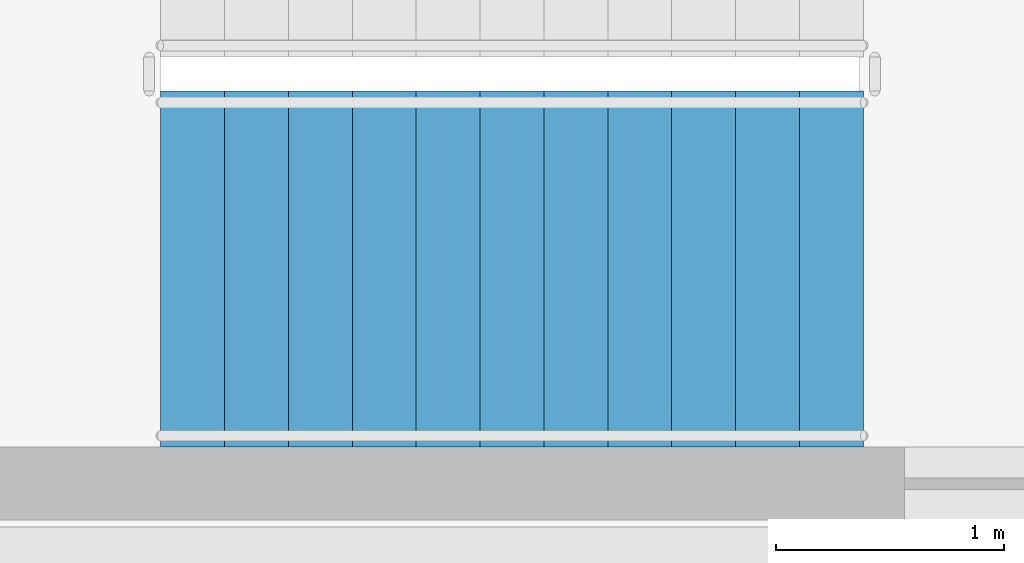
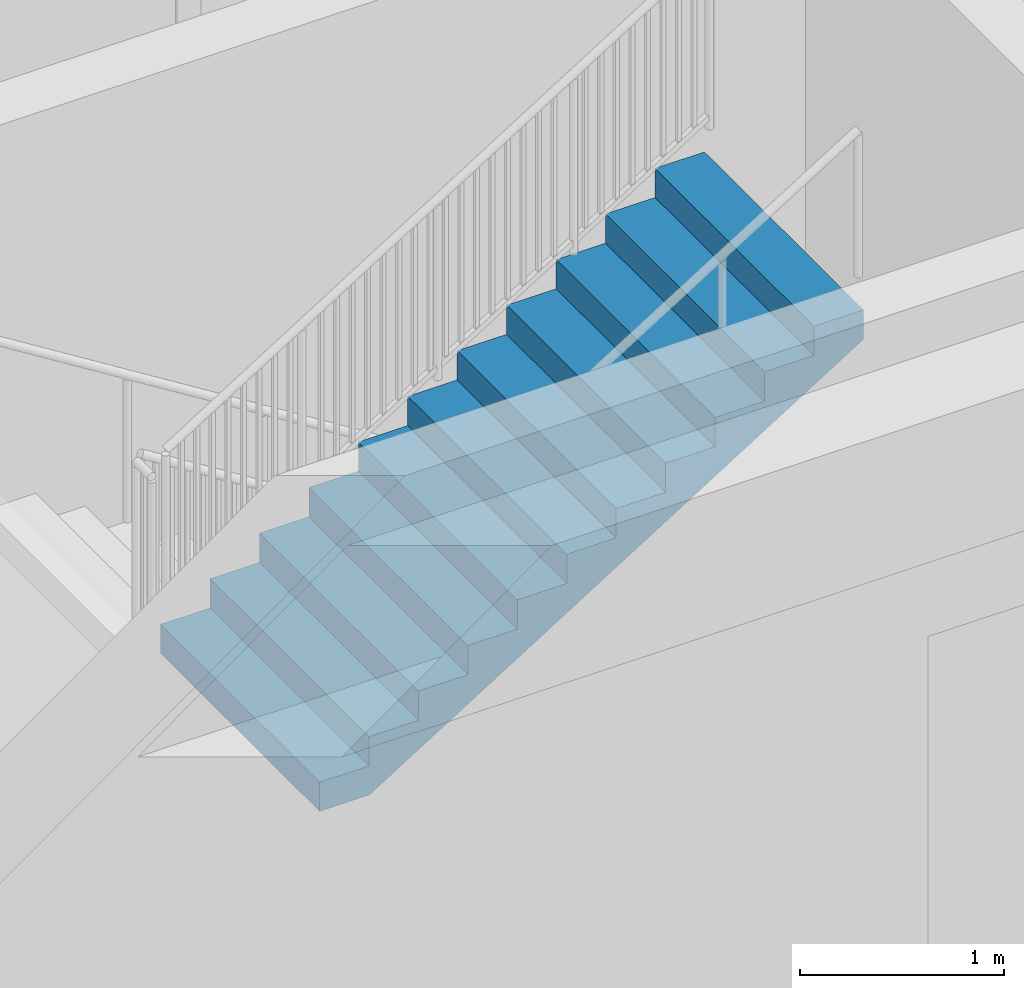
# One storey, part 46 of 63: 1 stair flight, 1 element without a shape of its own.
"""IFC4 building model written with IfcOpenShell, lengths in metres."""

from ifc_helpers import new_model, si_unit, direction, frame, origin, place, context, subcontext, project, spatial, polygons, material, type_object, element, aggregate, save


model = new_model("IFC4")

# Units and contexts
model_context = context("Model", 3, precision=1e-05, world=origin(), true_north=direction((0.0, 1.0)))
body_context = subcontext(model_context, "Body", "Model", "MODEL_VIEW")
ifc_project = project(units=[si_unit("LENGTHUNIT", "METRE"), si_unit("AREAUNIT", "SQUARE_METRE"), si_unit("VOLUMEUNIT", "CUBIC_METRE"), si_unit("PLANEANGLEUNIT", "RADIAN"), si_unit("MASSUNIT", "GRAM", prefix="KILO")], contexts=[model_context])

# Site, building, storey
site_placement = place(None, origin())
site = spatial("IfcSite", under=ifc_project, at=site_placement, CompositionType="ELEMENT")
building_placement = place(site_placement, origin())
building = spatial("IfcBuilding", under=site, at=building_placement, Name="Zantavel Square City Hall", CompositionType="ELEMENT")
storey_placement = place(building_placement, frame((0.0, 0.0, 14.699951171875)))
storey = spatial("IfcBuildingStorey", under=building, at=storey_placement, Name="L04", CompositionType="ELEMENT", Elevation=14.699951171875)

# Stair, stair flight
ifc_material = material(Name="Concrete C35/45", Category="concrete")
stair_type = type_object("IfcStairType", Name="Enclosed Core Dogleg Stair L04 H4200", PredefinedType="HALF_TURN_STAIR", material=ifc_material)
stair_placement = place(storey_placement, origin())
stair = element("IfcStair", 1, at=stair_placement, inside=storey, type_object=stair_type, Name="L04 Exit Stair 6 Central East Core", PredefinedType="HALF_TURN_STAIR")
stair_flight_type = type_object("IfcStairFlightType", Name="Enclosed Core Stair Flight L04 W1560", PredefinedType="STRAIGHT", material=ifc_material)
stair_flight_placement = place(storey_placement, frame((98.889892578125, 62.179931640625, 2.10009765625), z_axis=(0.0, 0.0, 1.0), x_axis=(1.0, 0.0, 0.0)))
stair_flight = element("IfcStairFlight", 2, at=stair_flight_placement, type_object=stair_flight_type, Name="ST6 flight 2", NumberOfRisers=12, NumberOfTreads=11, PredefinedType="STRAIGHT", RiserHeight=0.175, TreadLength=0.28, context=body_context, shape_type="Tessellation", body=[
    polygons([(0.28271484375, -0.780029296875, 0.0), (3.080078125, -0.780029296875, 1.748291015625), (3.080078125, -0.780029296875, 1.925048828125), (2.800048828125, -0.780029296875, 1.925048828125), (2.800048828125, -0.780029296875, 1.75), (2.52001953125, -0.780029296875, 1.75), (2.52001953125, -0.780029296875, 1.574951171875), (2.239990234375, -0.780029296875, 1.574951171875), (2.239990234375, -0.780029296875, 1.39990234375), (1.9599609375, -0.780029296875, 1.39990234375), (1.9599609375, -0.780029296875, 1.22509765625), (1.679931640625, -0.780029296875, 1.22509765625), (1.679931640625, -0.780029296875, 1.050048828125), (1.39990234375, -0.780029296875, 1.050048828125), (1.39990234375, -0.780029296875, 0.875), (1.1201171875, -0.780029296875, 0.875), (1.1201171875, -0.780029296875, 0.699951171875), (0.840087890625, -0.780029296875, 0.699951171875), (0.840087890625, -0.780029296875, 0.52490234375), (0.56005859375, -0.780029296875, 0.52490234375), (0.56005859375, -0.780029296875, 0.35009765625), (0.280029296875, -0.780029296875, 0.35009765625), (0.280029296875, -0.780029296875, 0.175048828125), (0.0, -0.780029296875, 0.175048828125), (0.0, -0.780029296875, 0.0), (0.28271484375, -0.5849609375, 0.0), (3.080078125, -0.5849609375, 1.748291015625), (3.080078125, -0.5849609375, 1.925048828125), (2.800048828125, -0.5849609375, 1.925048828125), (2.800048828125, -0.5849609375, 1.75), (2.52001953125, -0.5849609375, 1.75), (2.52001953125, -0.5849609375, 1.574951171875), (2.239990234375, -0.5849609375, 1.574951171875), (2.239990234375, -0.5849609375, 1.39990234375), (1.9599609375, -0.5849609375, 1.39990234375), (1.9599609375, -0.5849609375, 1.22509765625), (1.679931640625, -0.5849609375, 1.22509765625), (1.679931640625, -0.5849609375, 1.050048828125), (1.39990234375, -0.5849609375, 1.050048828125), (1.39990234375, -0.5849609375, 0.875), (1.1201171875, -0.5849609375, 0.875), (1.1201171875, -0.5849609375, 0.699951171875), (0.840087890625, -0.5849609375, 0.699951171875), (0.840087890625, -0.5849609375, 0.52490234375), (0.56005859375, -0.5849609375, 0.52490234375), (0.56005859375, -0.5849609375, 0.35009765625), (0.280029296875, -0.5849609375, 0.35009765625), (0.280029296875, -0.5849609375, 0.175048828125), (0.0, -0.5849609375, 0.175048828125), (0.0, -0.5849609375, 0.0), (0.28271484375, -0.39013671875, 0.0), (3.080078125, -0.39013671875, 1.748291015625), (3.080078125, -0.39013671875, 1.925048828125), (2.800048828125, -0.39013671875, 1.925048828125), (2.800048828125, -0.39013671875, 1.75), (2.52001953125, -0.39013671875, 1.75), (2.52001953125, -0.39013671875, 1.574951171875), (2.239990234375, -0.39013671875, 1.574951171875), (2.239990234375, -0.39013671875, 1.39990234375), (1.9599609375, -0.39013671875, 1.39990234375), (1.9599609375, -0.39013671875, 1.22509765625), (1.679931640625, -0.39013671875, 1.22509765625), (1.679931640625, -0.39013671875, 1.050048828125), (1.39990234375, -0.39013671875, 1.050048828125), (1.39990234375, -0.39013671875, 0.875), (1.1201171875, -0.39013671875, 0.875), (1.1201171875, -0.39013671875, 0.699951171875), (0.840087890625, -0.39013671875, 0.699951171875), (0.840087890625, -0.39013671875, 0.52490234375), (0.56005859375, -0.39013671875, 0.52490234375), (0.56005859375, -0.39013671875, 0.35009765625), (0.280029296875, -0.39013671875, 0.35009765625), (0.280029296875, -0.39013671875, 0.175048828125), (0.0, -0.39013671875, 0.175048828125), (0.0, -0.39013671875, 0.0), (0.28271484375, -0.195068359375, 0.0), (3.080078125, -0.195068359375, 1.748291015625), (3.080078125, -0.195068359375, 1.925048828125), (2.800048828125, -0.195068359375, 1.925048828125), (2.800048828125, -0.195068359375, 1.75), (2.52001953125, -0.195068359375, 1.75), (2.52001953125, -0.195068359375, 1.574951171875), (2.239990234375, -0.195068359375, 1.574951171875), (2.239990234375, -0.195068359375, 1.39990234375), (1.9599609375, -0.195068359375, 1.39990234375), (1.9599609375, -0.195068359375, 1.22509765625), (1.679931640625, -0.195068359375, 1.22509765625), (1.679931640625, -0.195068359375, 1.050048828125), (1.39990234375, -0.195068359375, 1.050048828125), (1.39990234375, -0.195068359375, 0.875), (1.1201171875, -0.195068359375, 0.875), (1.1201171875, -0.195068359375, 0.699951171875), (0.840087890625, -0.195068359375, 0.699951171875), (0.840087890625, -0.195068359375, 0.52490234375), (0.56005859375, -0.195068359375, 0.52490234375), (0.56005859375, -0.195068359375, 0.35009765625), (0.280029296875, -0.195068359375, 0.35009765625), (0.280029296875, -0.195068359375, 0.175048828125), (0.0, -0.195068359375, 0.175048828125), (0.0, -0.195068359375, 0.0), (0.28271484375, 0.0, 0.0), (3.080078125, 0.0, 1.748291015625), (3.080078125, 0.0, 1.925048828125), (2.800048828125, 0.0, 1.925048828125), (2.800048828125, 0.0, 1.75), (2.52001953125, 0.0, 1.75), (2.52001953125, 0.0, 1.574951171875), (2.239990234375, 0.0, 1.574951171875), (2.239990234375, 0.0, 1.39990234375), (1.9599609375, 0.0, 1.39990234375), (1.9599609375, 0.0, 1.22509765625), (1.679931640625, 0.0, 1.22509765625), (1.679931640625, 0.0, 1.050048828125), (1.39990234375, 0.0, 1.050048828125), (1.39990234375, 0.0, 0.875), (1.1201171875, 0.0, 0.875), (1.1201171875, 0.0, 0.699951171875), (0.840087890625, 0.0, 0.699951171875), (0.840087890625, 0.0, 0.52490234375), (0.56005859375, 0.0, 0.52490234375), (0.56005859375, 0.0, 0.35009765625), (0.280029296875, 0.0, 0.35009765625), (0.280029296875, 0.0, 0.175048828125), (0.0, 0.0, 0.175048828125), (0.0, 0.0, 0.0), (0.28271484375, 0.195068359375, 0.0), (3.080078125, 0.195068359375, 1.748291015625), (3.080078125, 0.195068359375, 1.925048828125), (2.800048828125, 0.195068359375, 1.925048828125), (2.800048828125, 0.195068359375, 1.75), (2.52001953125, 0.195068359375, 1.75), (2.52001953125, 0.195068359375, 1.574951171875), (2.239990234375, 0.195068359375, 1.574951171875), (2.239990234375, 0.195068359375, 1.39990234375), (1.9599609375, 0.195068359375, 1.39990234375), (1.9599609375, 0.195068359375, 1.22509765625), (1.679931640625, 0.195068359375, 1.22509765625), (1.679931640625, 0.195068359375, 1.050048828125), (1.39990234375, 0.195068359375, 1.050048828125), (1.39990234375, 0.195068359375, 0.875), (1.1201171875, 0.195068359375, 0.875), (1.1201171875, 0.195068359375, 0.699951171875), (0.840087890625, 0.195068359375, 0.699951171875), (0.840087890625, 0.195068359375, 0.52490234375), (0.56005859375, 0.195068359375, 0.52490234375), (0.56005859375, 0.195068359375, 0.35009765625), (0.280029296875, 0.195068359375, 0.35009765625), (0.280029296875, 0.195068359375, 0.175048828125), (0.0, 0.195068359375, 0.175048828125), (0.0, 0.195068359375, 0.0), (0.28271484375, 0.39013671875, 0.0), (3.080078125, 0.39013671875, 1.748291015625), (3.080078125, 0.39013671875, 1.925048828125), (2.800048828125, 0.39013671875, 1.925048828125), (2.800048828125, 0.39013671875, 1.75), (2.52001953125, 0.39013671875, 1.75), (2.52001953125, 0.39013671875, 1.574951171875), (2.239990234375, 0.39013671875, 1.574951171875), (2.239990234375, 0.39013671875, 1.39990234375), (1.9599609375, 0.39013671875, 1.39990234375), (1.9599609375, 0.39013671875, 1.22509765625), (1.679931640625, 0.39013671875, 1.22509765625), (1.679931640625, 0.39013671875, 1.050048828125), (1.39990234375, 0.39013671875, 1.050048828125), (1.39990234375, 0.39013671875, 0.875), (1.1201171875, 0.39013671875, 0.875), (1.1201171875, 0.39013671875, 0.699951171875), (0.840087890625, 0.39013671875, 0.699951171875), (0.840087890625, 0.39013671875, 0.52490234375), (0.56005859375, 0.39013671875, 0.52490234375), (0.56005859375, 0.39013671875, 0.35009765625), (0.280029296875, 0.39013671875, 0.35009765625), (0.280029296875, 0.39013671875, 0.175048828125), (0.0, 0.39013671875, 0.175048828125), (0.0, 0.39013671875, 0.0), (0.28271484375, 0.5849609375, 0.0), (3.080078125, 0.5849609375, 1.748291015625), (3.080078125, 0.5849609375, 1.925048828125), (2.800048828125, 0.5849609375, 1.925048828125), (2.800048828125, 0.5849609375, 1.75), (2.52001953125, 0.5849609375, 1.75), (2.52001953125, 0.5849609375, 1.574951171875), (2.239990234375, 0.5849609375, 1.574951171875), (2.239990234375, 0.5849609375, 1.39990234375), (1.9599609375, 0.5849609375, 1.39990234375), (1.9599609375, 0.5849609375, 1.22509765625), (1.679931640625, 0.5849609375, 1.22509765625), (1.679931640625, 0.5849609375, 1.050048828125), (1.39990234375, 0.5849609375, 1.050048828125), (1.39990234375, 0.5849609375, 0.875), (1.1201171875, 0.5849609375, 0.875), (1.1201171875, 0.5849609375, 0.699951171875), (0.840087890625, 0.5849609375, 0.699951171875), (0.840087890625, 0.5849609375, 0.52490234375), (0.56005859375, 0.5849609375, 0.52490234375), (0.56005859375, 0.5849609375, 0.35009765625), (0.280029296875, 0.5849609375, 0.35009765625), (0.280029296875, 0.5849609375, 0.175048828125), (0.0, 0.5849609375, 0.175048828125), (0.0, 0.5849609375, 0.0), (0.28271484375, 0.780029296875, 0.0), (3.080078125, 0.780029296875, 1.748291015625), (3.080078125, 0.780029296875, 1.925048828125), (2.800048828125, 0.780029296875, 1.925048828125), (2.800048828125, 0.780029296875, 1.75), (2.52001953125, 0.780029296875, 1.75), (2.52001953125, 0.780029296875, 1.574951171875), (2.239990234375, 0.780029296875, 1.574951171875), (2.239990234375, 0.780029296875, 1.39990234375), (1.9599609375, 0.780029296875, 1.39990234375), (1.9599609375, 0.780029296875, 1.22509765625), (1.679931640625, 0.780029296875, 1.22509765625), (1.679931640625, 0.780029296875, 1.050048828125), (1.39990234375, 0.780029296875, 1.050048828125), (1.39990234375, 0.780029296875, 0.875), (1.1201171875, 0.780029296875, 0.875), (1.1201171875, 0.780029296875, 0.699951171875), (0.840087890625, 0.780029296875, 0.699951171875), (0.840087890625, 0.780029296875, 0.52490234375), (0.56005859375, 0.780029296875, 0.52490234375), (0.56005859375, 0.780029296875, 0.35009765625), (0.280029296875, 0.780029296875, 0.35009765625), (0.280029296875, 0.780029296875, 0.175048828125), (0.0, 0.780029296875, 0.175048828125), (0.0, 0.780029296875, 0.0)], [[[1, 2, 3, 4, 5, 6, 7, 8, 9, 10, 11, 12, 13, 14, 15, 16, 17, 18, 19, 20, 21, 22, 23, 24, 25]], [[225, 224, 223, 222, 221, 220, 219, 218, 217, 216, 215, 214, 213, 212, 211, 210, 209, 208, 207, 206, 205, 204, 203, 202, 201]], [[1, 26, 27]], [[1, 27, 2]], [[2, 27, 28]], [[2, 28, 3]], [[3, 28, 29]], [[3, 29, 4]], [[4, 29, 30]], [[4, 30, 5]], [[5, 30, 31]], [[5, 31, 6]], [[6, 31, 32]], [[6, 32, 7]], [[7, 32, 33]], [[7, 33, 8]], [[8, 33, 34]], [[8, 34, 9]], [[9, 34, 35]], [[9, 35, 10]], [[10, 35, 36]], [[10, 36, 11]], [[11, 36, 37]], [[11, 37, 12]], [[12, 37, 38]], [[12, 38, 13]], [[13, 38, 39]], [[13, 39, 14]], [[14, 39, 40]], [[14, 40, 15]], [[15, 40, 41]], [[15, 41, 16]], [[16, 41, 42]], [[16, 42, 17]], [[17, 42, 43]], [[17, 43, 18]], [[18, 43, 44]], [[18, 44, 19]], [[19, 44, 45]], [[19, 45, 20]], [[20, 45, 46]], [[20, 46, 21]], [[21, 46, 47]], [[21, 47, 22]], [[22, 47, 48]], [[22, 48, 23]], [[23, 48, 49]], [[23, 49, 24]], [[24, 49, 50]], [[24, 50, 25]], [[25, 50, 26]], [[25, 26, 1]], [[26, 51, 52]], [[26, 52, 27]], [[27, 52, 53]], [[27, 53, 28]], [[28, 53, 54]], [[28, 54, 29]], [[29, 54, 55]], [[29, 55, 30]], [[30, 55, 56]], [[30, 56, 31]], [[31, 56, 57]], [[31, 57, 32]], [[32, 57, 58]], [[32, 58, 33]], [[33, 58, 59]], [[33, 59, 34]], [[34, 59, 60]], [[34, 60, 35]], [[35, 60, 61]], [[35, 61, 36]], [[36, 61, 62]], [[36, 62, 37]], [[37, 62, 63]], [[37, 63, 38]], [[38, 63, 64]], [[38, 64, 39]], [[39, 64, 65]], [[39, 65, 40]], [[40, 65, 66]], [[40, 66, 41]], [[41, 66, 67]], [[41, 67, 42]], [[42, 67, 68]], [[42, 68, 43]], [[43, 68, 69]], [[43, 69, 44]], [[44, 69, 70]], [[44, 70, 45]], [[45, 70, 71]], [[45, 71, 46]], [[46, 71, 72]], [[46, 72, 47]], [[47, 72, 73]], [[47, 73, 48]], [[48, 73, 74]], [[48, 74, 49]], [[49, 74, 75]], [[49, 75, 50]], [[50, 75, 51]], [[50, 51, 26]], [[51, 76, 77]], [[51, 77, 52]], [[52, 77, 78]], [[52, 78, 53]], [[53, 78, 79]], [[53, 79, 54]], [[54, 79, 80]], [[54, 80, 55]], [[55, 80, 81]], [[55, 81, 56]], [[56, 81, 82]], [[56, 82, 57]], [[57, 82, 83]], [[57, 83, 58]], [[58, 83, 84]], [[58, 84, 59]], [[59, 84, 85]], [[59, 85, 60]], [[60, 85, 86]], [[60, 86, 61]], [[61, 86, 87]], [[61, 87, 62]], [[62, 87, 88]], [[62, 88, 63]], [[63, 88, 89]], [[63, 89, 64]], [[64, 89, 90]], [[64, 90, 65]], [[65, 90, 91]], [[65, 91, 66]], [[66, 91, 92]], [[66, 92, 67]], [[67, 92, 93]], [[67, 93, 68]], [[68, 93, 94]], [[68, 94, 69]], [[69, 94, 95]], [[69, 95, 70]], [[70, 95, 96]], [[70, 96, 71]], [[71, 96, 97]], [[71, 97, 72]], [[72, 97, 98]], [[72, 98, 73]], [[73, 98, 99]], [[73, 99, 74]], [[74, 99, 100]], [[74, 100, 75]], [[75, 100, 76]], [[75, 76, 51]], [[76, 101, 102]], [[76, 102, 77]], [[77, 102, 103]], [[77, 103, 78]], [[78, 103, 104]], [[78, 104, 79]], [[79, 104, 105]], [[79, 105, 80]], [[80, 105, 106]], [[80, 106, 81]], [[81, 106, 107]], [[81, 107, 82]], [[82, 107, 108]], [[82, 108, 83]], [[83, 108, 109]], [[83, 109, 84]], [[84, 109, 110]], [[84, 110, 85]], [[85, 110, 111]], [[85, 111, 86]], [[86, 111, 112]], [[86, 112, 87]], [[87, 112, 113]], [[87, 113, 88]], [[88, 113, 114]], [[88, 114, 89]], [[89, 114, 115]], [[89, 115, 90]], [[90, 115, 116]], [[90, 116, 91]], [[91, 116, 117]], [[91, 117, 92]], [[92, 117, 118]], [[92, 118, 93]], [[93, 118, 119]], [[93, 119, 94]], [[94, 119, 120]], [[94, 120, 95]], [[95, 120, 121]], [[95, 121, 96]], [[96, 121, 122]], [[96, 122, 97]], [[97, 122, 123]], [[97, 123, 98]], [[98, 123, 124]], [[98, 124, 99]], [[99, 124, 125]], [[99, 125, 100]], [[100, 125, 101]], [[100, 101, 76]], [[101, 126, 102]], [[126, 127, 102]], [[102, 127, 103]], [[127, 128, 103]], [[103, 128, 104]], [[128, 129, 104]], [[104, 129, 105]], [[129, 130, 105]], [[105, 130, 106]], [[130, 131, 106]], [[106, 131, 107]], [[131, 132, 107]], [[107, 132, 108]], [[132, 133, 108]], [[108, 133, 109]], [[133, 134, 109]], [[109, 134, 110]], [[134, 135, 110]], [[110, 135, 111]], [[135, 136, 111]], [[111, 136, 112]], [[136, 137, 112]], [[112, 137, 113]], [[137, 138, 113]], [[113, 138, 114]], [[138, 139, 114]], [[114, 139, 115]], [[139, 140, 115]], [[115, 140, 116]], [[140, 141, 116]], [[116, 141, 117]], [[141, 142, 117]], [[117, 142, 118]], [[142, 143, 118]], [[118, 143, 119]], [[143, 144, 119]], [[119, 144, 120]], [[144, 145, 120]], [[120, 145, 121]], [[145, 146, 121]], [[121, 146, 122]], [[146, 147, 122]], [[122, 147, 123]], [[147, 148, 123]], [[123, 148, 124]], [[148, 149, 124]], [[124, 149, 125]], [[149, 150, 125]], [[125, 150, 101]], [[150, 126, 101]], [[126, 151, 127]], [[151, 152, 127]], [[127, 152, 128]], [[152, 153, 128]], [[128, 153, 129]], [[153, 154, 129]], [[129, 154, 130]], [[154, 155, 130]], [[130, 155, 131]], [[155, 156, 131]], [[131, 156, 132]], [[156, 157, 132]], [[132, 157, 133]], [[157, 158, 133]], [[133, 158, 134]], [[158, 159, 134]], [[134, 159, 135]], [[159, 160, 135]], [[135, 160, 136]], [[160, 161, 136]], [[136, 161, 137]], [[161, 162, 137]], [[137, 162, 138]], [[162, 163, 138]], [[138, 163, 139]], [[163, 164, 139]], [[139, 164, 140]], [[164, 165, 140]], [[140, 165, 141]], [[165, 166, 141]], [[141, 166, 142]], [[166, 167, 142]], [[142, 167, 143]], [[167, 168, 143]], [[143, 168, 144]], [[168, 169, 144]], [[144, 169, 145]], [[169, 170, 145]], [[145, 170, 146]], [[170, 171, 146]], [[146, 171, 147]], [[171, 172, 147]], [[147, 172, 148]], [[172, 173, 148]], [[148, 173, 149]], [[173, 174, 149]], [[149, 174, 150]], [[174, 175, 150]], [[150, 175, 126]], [[175, 151, 126]], [[151, 176, 152]], [[176, 177, 152]], [[152, 177, 153]], [[177, 178, 153]], [[153, 178, 154]], [[178, 179, 154]], [[154, 179, 155]], [[179, 180, 155]], [[155, 180, 156]], [[180, 181, 156]], [[156, 181, 157]], [[181, 182, 157]], [[157, 182, 158]], [[182, 183, 158]], [[158, 183, 159]], [[183, 184, 159]], [[159, 184, 160]], [[184, 185, 160]], [[160, 185, 161]], [[185, 186, 161]], [[161, 186, 162]], [[186, 187, 162]], [[162, 187, 163]], [[187, 188, 163]], [[163, 188, 164]], [[188, 189, 164]], [[164, 189, 165]], [[189, 190, 165]], [[165, 190, 166]], [[190, 191, 166]], [[166, 191, 167]], [[191, 192, 167]], [[167, 192, 168]], [[192, 193, 168]], [[168, 193, 169]], [[193, 194, 169]], [[169, 194, 170]], [[194, 195, 170]], [[170, 195, 171]], [[195, 196, 171]], [[171, 196, 172]], [[196, 197, 172]], [[172, 197, 173]], [[197, 198, 173]], [[173, 198, 174]], [[198, 199, 174]], [[174, 199, 175]], [[199, 200, 175]], [[175, 200, 151]], [[200, 176, 151]], [[176, 201, 177]], [[201, 202, 177]], [[177, 202, 178]], [[202, 203, 178]], [[178, 203, 179]], [[203, 204, 179]], [[179, 204, 180]], [[204, 205, 180]], [[180, 205, 181]], [[205, 206, 181]], [[181, 206, 182]], [[206, 207, 182]], [[182, 207, 183]], [[207, 208, 183]], [[183, 208, 184]], [[208, 209, 184]], [[184, 209, 185]], [[209, 210, 185]], [[185, 210, 186]], [[210, 211, 186]], [[186, 211, 187]], [[211, 212, 187]], [[187, 212, 188]], [[212, 213, 188]], [[188, 213, 189]], [[213, 214, 189]], [[189, 214, 190]], [[214, 215, 190]], [[190, 215, 191]], [[215, 216, 191]], [[191, 216, 192]], [[216, 217, 192]], [[192, 217, 193]], [[217, 218, 193]], [[193, 218, 194]], [[218, 219, 194]], [[194, 219, 195]], [[219, 220, 195]], [[195, 220, 196]], [[220, 221, 196]], [[196, 221, 197]], [[221, 222, 197]], [[197, 222, 198]], [[222, 223, 198]], [[198, 223, 199]], [[223, 224, 199]], [[199, 224, 200]], [[224, 225, 200]], [[200, 225, 176]], [[225, 201, 176]]], closed=True),
])
aggregate(stair, [stair_flight])

save(model, "model.ifc")
